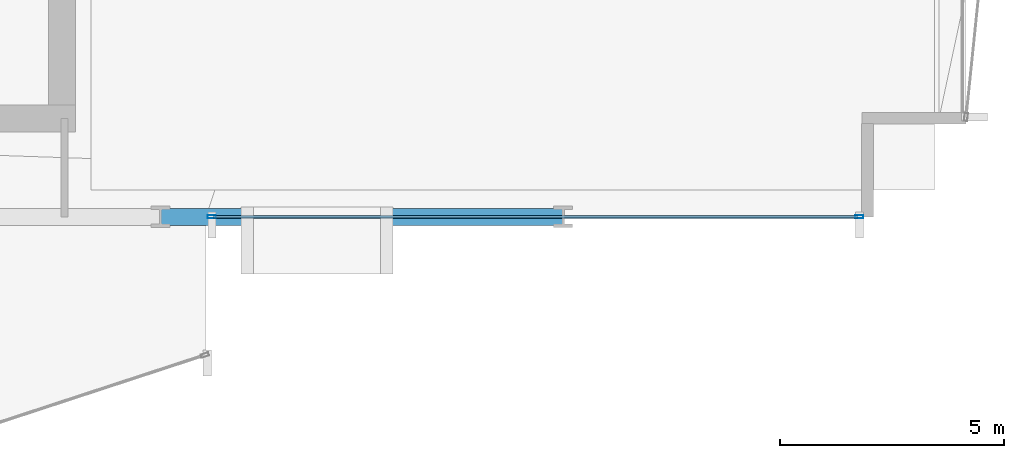
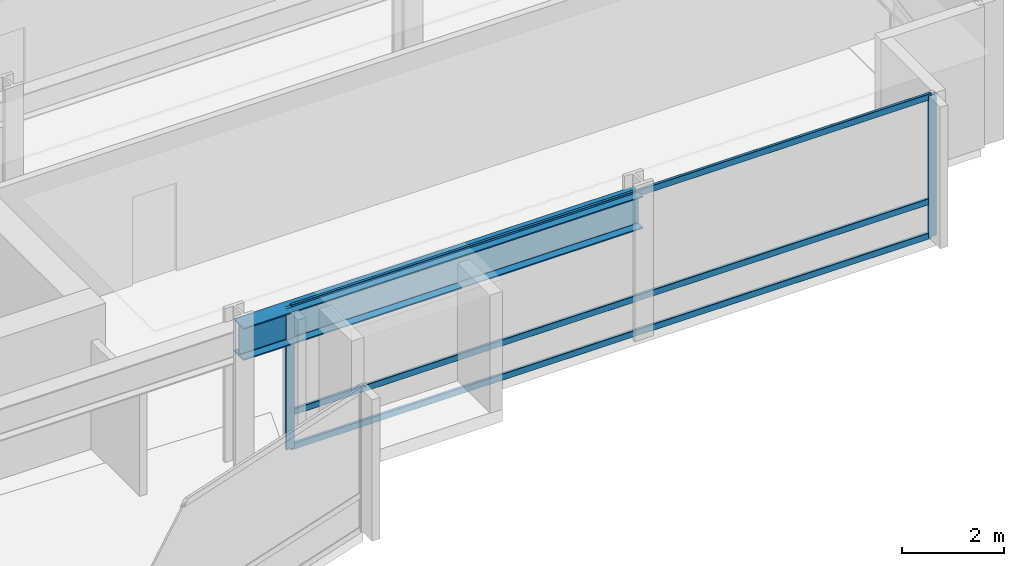
# One storey, part 12 of 34: 5 members, 1 beam, 1 element without a shape of its own.
"""IFC4 building model written with IfcOpenShell, lengths in metres."""

from ifc_helpers import new_model, si_unit, direction, frame, origin, origin_2d, place, context, subcontext, project, spatial, hollow_rectangle, i_section, extrude, material, layer, layer_set, material_profile, profile_set, type_object, element, aggregate, save


model = new_model("IFC4")

# Units and contexts
model_context = context("Model", 3, precision=1e-05, world=origin(), true_north=direction((0.0, 1.0)))
body_context = subcontext(model_context, "Body", "Model", "MODEL_VIEW")
ifc_project = project(units=[si_unit("LENGTHUNIT", "METRE"), si_unit("AREAUNIT", "SQUARE_METRE"), si_unit("VOLUMEUNIT", "CUBIC_METRE"), si_unit("PLANEANGLEUNIT", "RADIAN"), si_unit("MASSUNIT", "GRAM", prefix="KILO")], contexts=[model_context])

# Site, building, storey
site_placement = place(None, origin())
site = spatial("IfcSite", under=ifc_project, at=site_placement, CompositionType="ELEMENT")
building_placement = place(site_placement, origin())
building = spatial("IfcBuilding", under=site, at=building_placement, Name="Solvaryn Broadcast Tower", CompositionType="ELEMENT")
storey_placement = place(building_placement, frame((0.0, 0.0, 96.5)))
storey = spatial("IfcBuildingStorey", under=building, at=storey_placement, Name="L23", CompositionType="ELEMENT", Elevation=96.5)

# Beam
ifc_material_1 = material(Name="Steel ASTM A992 Grade 50", Category="steel")
ifc_material_profile_1 = material_profile(ifc_material_1, i_section(OverallWidth=0.381103515625, OverallDepth=0.77294921875, WebThickness=0.0166015625, FlangeThickness=0.027099609375, FilletRadius=0.01806640625, at=origin_2d()))
ifc_profile_set_1 = profile_set([ifc_material_profile_1], Name="Steel ASTM A992 Grade 50")
beam_type = type_object("IfcBeamType", Name="BM-SP1-W30X173", PredefinedType="USERDEFINED", material=ifc_profile_set_1)
beam_placement = place(storey_placement, frame((45.0, 9.0, 2.9833984375), z_axis=(1.0, 0.0, 0.0), x_axis=(0.0, 1.0, 0.0)))
element("IfcBeam", 1, at=beam_placement, inside=storey, type_object=beam_type, Name="L23 Spandrel Beam X (45-54 @ Y=9)", ObjectType="SPANDREL", PredefinedType="USERDEFINED", context=body_context, shape_type="SweptSolid", body=[
    extrude(i_section(OverallWidth=0.381103515625, OverallDepth=0.77294921875, WebThickness=0.0166015625, FlangeThickness=0.027099609375, FilletRadius=0.01806640625, at=origin_2d()), origin(), (0.0, 0.0, 1.0), 9.0),
])

# Curtain wall, members
ifc_material_2 = material(Name="Aluminium and Terracotta Unitised Curtain Wall", Category="masonry")
ifc_layer = layer(ifc_material_2, 0.199951171875)
ifc_layer_set = layer_set([ifc_layer], Name="CW-SYS2-LOWMID")
curtain_wall_type = type_object("IfcCurtainWallType", Name="CW-SYS2-LOWMID", PredefinedType="NOTDEFINED", material=ifc_layer_set)
curtain_wall_placement = place(storey_placement, origin())
curtain_wall = element("IfcCurtainWall", 2, at=curtain_wall_placement, inside=storey, type_object=curtain_wall_type, Name="L23 Curtain Wall S2", PredefinedType="NOTDEFINED")
ifc_material_3 = material(Name="Anodised Aluminium 6063-T6", Category="aluminium")
ifc_material_profile_2 = material_profile(ifc_material_3, hollow_rectangle(XDim=0.074951171875, YDim=0.179931640625, WallThickness=0.00390625, InnerFilletRadius=0.00390625, OuterFilletRadius=0.008056640625, at=origin_2d()))
ifc_profile_set_2 = profile_set([ifc_material_profile_2], Name="Anodised Aluminium 6063-T6")
member_type_1 = type_object("IfcMemberType", Name="CW-MUL-180", PredefinedType="MULLION", material=ifc_profile_set_2)
member_1_placement = place(storey_placement, frame((46.14599609375, 9.0, 0.0), z_axis=(0.0, 0.0, 1.0), x_axis=(0.0, 1.0, 0.0)))
member_1 = element("IfcMember", 3, at=member_1_placement, type_object=member_type_1, Name="CWS2 mullion 1", PredefinedType="MULLION", context=body_context, shape_type="SweptSolid", body=[
    extrude(hollow_rectangle(XDim=0.074951171875, YDim=0.179931640625, WallThickness=0.00390625, InnerFilletRadius=0.00390625, OuterFilletRadius=0.008056640625, at=origin_2d()), origin(), (0.0, 0.0, 1.0), 3.3701171875),
])
member_2_placement = place(storey_placement, frame((60.6201171875, 9.0, 0.0), z_axis=(0.0, 0.0, 1.0), x_axis=(0.0, 1.0, 0.0)))
member_2 = element("IfcMember", 4, at=member_2_placement, type_object=member_type_1, Name="CWS2 mullion 2", PredefinedType="MULLION", context=body_context, shape_type="SweptSolid", body=[
    extrude(hollow_rectangle(XDim=0.074951171875, YDim=0.179931640625, WallThickness=0.00390625, InnerFilletRadius=0.00390625, OuterFilletRadius=0.008056640625, at=origin_2d()), origin(), (0.0, 0.0, 1.0), 3.3701171875),
])
ifc_material_4 = material(Name="Anodised Aluminium 6063-T6", Category="aluminium")
ifc_material_profile_3 = material_profile(ifc_material_4, hollow_rectangle(XDim=0.06494140625, YDim=0.14990234375, WallThickness=0.00390625, InnerFilletRadius=0.00390625, OuterFilletRadius=0.008056640625, at=origin_2d()))
ifc_profile_set_3 = profile_set([ifc_material_profile_3], Name="Anodised Aluminium 6063-T6")
member_type_2 = type_object("IfcMemberType", Name="CW-TRN-150", PredefinedType="USERDEFINED", material=ifc_profile_set_3)
member_3_placement = place(storey_placement, frame((46.176025390625, 9.0, 0.030029296875), z_axis=(1.0, 0.0, 0.0), x_axis=(0.0, 1.0, 0.0)))
member_3 = element("IfcMember", 5, at=member_3_placement, type_object=member_type_2, Name="CWS2 transom 1.1", ObjectType="TRANSOM", PredefinedType="USERDEFINED", context=body_context, shape_type="SweptSolid", body=[
    extrude(hollow_rectangle(XDim=0.06494140625, YDim=0.14990234375, WallThickness=0.00390625, InnerFilletRadius=0.00390625, OuterFilletRadius=0.008056640625, at=origin_2d()), origin(), (0.0, 0.0, 1.0), 14.4140625),
])
member_4_placement = place(storey_placement, frame((46.176025390625, 9.0, 0.85009765625), z_axis=(1.0, 0.0, 0.0), x_axis=(0.0, 1.0, 0.0)))
member_4 = element("IfcMember", 6, at=member_4_placement, type_object=member_type_2, Name="CWS2 transom 1.2", ObjectType="TRANSOM", PredefinedType="USERDEFINED", context=body_context, shape_type="SweptSolid", body=[
    extrude(hollow_rectangle(XDim=0.06494140625, YDim=0.14990234375, WallThickness=0.00390625, InnerFilletRadius=0.00390625, OuterFilletRadius=0.008056640625, at=origin_2d()), origin(), (0.0, 0.0, 1.0), 14.4140625),
])
member_5_placement = place(storey_placement, frame((46.176025390625, 9.0, 3.340087890625), z_axis=(1.0, 0.0, 0.0), x_axis=(0.0, 1.0, 0.0)))
member_5 = element("IfcMember", 7, at=member_5_placement, type_object=member_type_2, Name="CWS2 transom 1.3", ObjectType="TRANSOM", PredefinedType="USERDEFINED", context=body_context, shape_type="SweptSolid", body=[
    extrude(hollow_rectangle(XDim=0.06494140625, YDim=0.14990234375, WallThickness=0.00390625, InnerFilletRadius=0.00390625, OuterFilletRadius=0.008056640625, at=origin_2d()), origin(), (0.0, 0.0, 1.0), 14.4140625),
])
aggregate(curtain_wall, [member_1, member_2, member_3, member_4, member_5])

save(model, "model.ifc")
